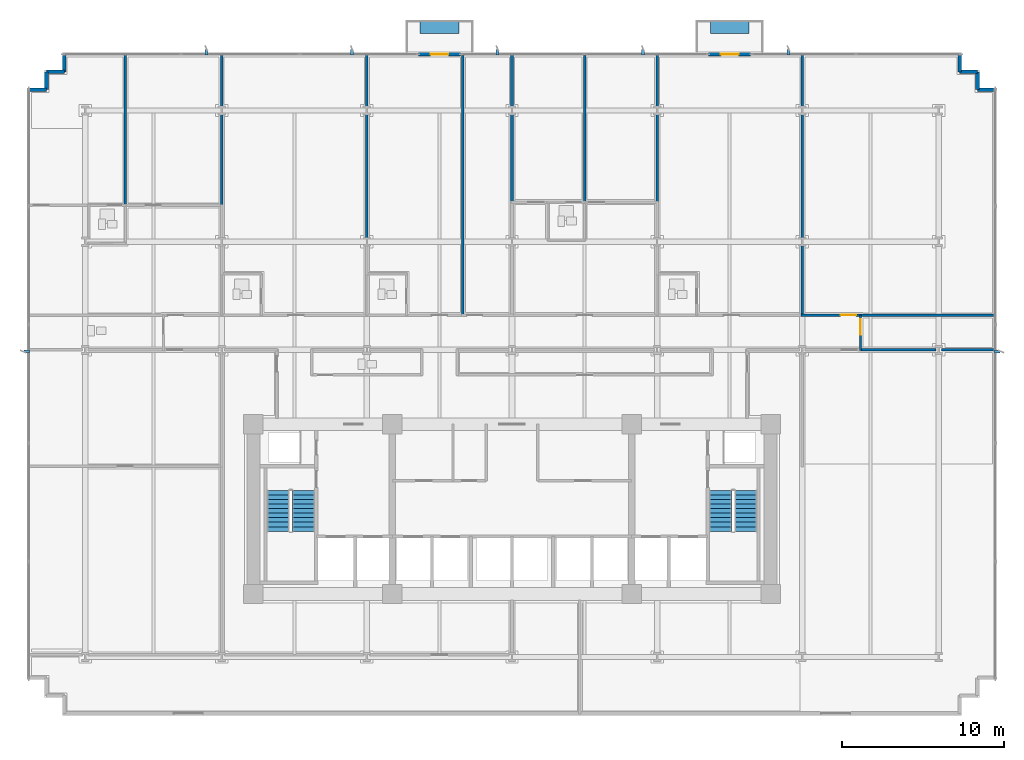
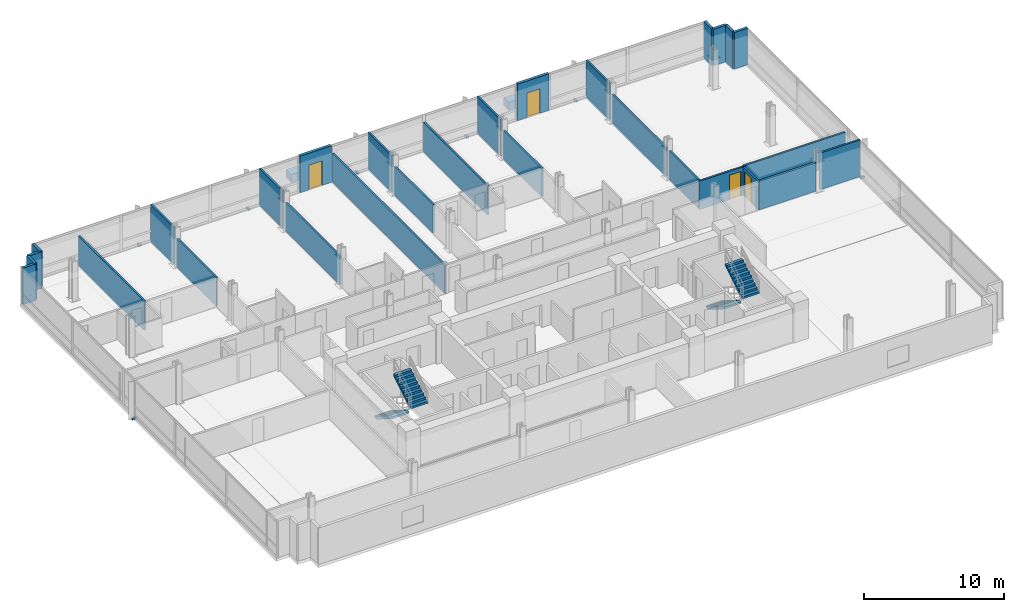
# One storey, part 11 of 16: 29 walls, 9 discrete accessories, 4 doors, 4 stair flights, 4 openings, 2 elements without a shape of their own.
"""IFC4 building model written with IfcOpenShell, lengths in metres."""

from ifc_helpers import new_model, si_unit, direction, frame, frame_2d, origin, origin_2d, place, context, subcontext, project, spatial, polyline, rectangle, outline, extrude, material, layer, layer_set, type_object, element, fill, aggregate, save


model = new_model("IFC4")

# Units and contexts
model_context = context("Model", 3, precision=1e-05, world=origin(), true_north=direction((0.0, 1.0)))
body_context = subcontext(model_context, "Body", "Model", "MODEL_VIEW")
ifc_project = project(units=[si_unit("LENGTHUNIT", "METRE"), si_unit("AREAUNIT", "SQUARE_METRE"), si_unit("VOLUMEUNIT", "CUBIC_METRE"), si_unit("PLANEANGLEUNIT", "RADIAN"), si_unit("MASSUNIT", "GRAM", prefix="KILO")], contexts=[model_context])

# Site, building, storey
site_placement = place(None, origin())
site = spatial("IfcSite", under=ifc_project, at=site_placement, CompositionType="ELEMENT")
building_placement = place(site_placement, origin())
building = spatial("IfcBuilding", under=site, at=building_placement, Name="Solmavex Isthmus Hotel", CompositionType="ELEMENT")
storey_placement = place(building_placement, frame((0.0, 0.0, 29.85009765625)))
storey = spatial("IfcBuildingStorey", under=building, at=storey_placement, Name="L07", CompositionType="ELEMENT", Elevation=29.85009765625)

# Wall, opening, door
ifc_material_1 = material(Name="Precast Concrete C40/50", Category="concrete")
ifc_layer_1 = layer(ifc_material_1, 0.25)
ifc_layer_set_1 = layer_set([ifc_layer_1], Name="Precast Concrete C40/50")
wall_type_1 = type_object("IfcWallType", Name="EW-TWR-250", PredefinedType="STANDARD", material=ifc_layer_set_1)
wall_1_placement = place(storey_placement, frame((-5.7880859375, 20.3798828125, 0.0), z_axis=(0.0, 0.0, 1.0), x_axis=(1.0, 0.0, 0.0)))
wall_1 = element("IfcWall", 1, at=wall_1_placement, inside=storey, type_object=wall_type_1, Name="Exterior Balcony Door Wall L07-2", PredefinedType="STANDARD", context=body_context, shape_type="SweptSolid", body=[
    extrude(rectangle(XDim=2.60009765625, YDim=0.239990234375, at=frame_2d((1.300048828125, 0.0))), origin(), (0.0, 0.0, 1.0), 3.18994140625),
])
opening_1_placement = place(wall_1_placement, frame((0.75, 0.0, 0.0)))
opening_1 = element("IfcOpeningElement", 2, at=opening_1_placement, cuts=wall_1, Name="Opening ED-02", PredefinedType="OPENING", context=body_context, shape_type="SweptSolid", body=[
    extrude(rectangle(XDim=1.10009765625, YDim=2.14990234375, at=frame_2d((0.550048828125, 1.074951171875))), frame((0.0, 0.1298828125, 0.0), z_axis=(0.0, -1.0, 0.0), x_axis=(1.0, 0.0, 0.0)), (0.0, 0.0, 1.0), 0.260009765625),
])
ifc_material_2 = material(Name="Aluminium alloy 6063-T6", Category="aluminium")
door_type_1 = type_object("IfcDoorType", Name="EDR-BALC-1100", OperationType="NOTDEFINED", PredefinedType="DOOR", material=ifc_material_2)
door_1_placement = place(opening_1_placement, origin())
door_1 = element("IfcDoor", 3, at=door_1_placement, inside=storey, type_object=door_type_1, Name="Balcony & Terrace Glazed Door L07-2", OperationType="SINGLE_SWING_RIGHT", OverallHeight=2.14990234375, OverallWidth=1.10009765625, PredefinedType="DOOR", context=body_context, shape_type="SweptSolid", body=[
    extrude(rectangle(XDim=1.10009765625, YDim=2.14990234375, at=frame_2d((0.550048828125, 1.074951171875))), frame((0.0, 0.02490234375, 0.0), z_axis=(0.0, -1.0, 0.0), x_axis=(1.0, 0.0, 0.0)), (0.0, 0.0, 1.0), 0.050048828125),
])
fill(opening_1, door_1)

wall_2_placement = place(storey_placement, frame((12.1640625, 20.3798828125, 0.0), z_axis=(0.0, 0.0, 1.0), x_axis=(1.0, 0.0, 0.0)))
wall_2 = element("IfcWall", 4, at=wall_2_placement, inside=storey, type_object=wall_type_1, Name="Exterior Balcony Door Wall L07-3", PredefinedType="STANDARD", context=body_context, shape_type="SweptSolid", body=[
    extrude(rectangle(XDim=2.599853515625, YDim=0.239990234375, at=frame_2d((1.2998046875, 0.0))), origin(), (0.0, 0.0, 1.0), 3.18994140625),
])
opening_2_placement = place(wall_2_placement, frame((0.75, 0.0, 0.0)))
opening_2 = element("IfcOpeningElement", 5, at=opening_2_placement, cuts=wall_2, Name="Opening ED-02", PredefinedType="OPENING", context=body_context, shape_type="SweptSolid", body=[
    extrude(rectangle(XDim=1.10009765625, YDim=2.14990234375, at=frame_2d((0.550048828125, 1.074951171875))), frame((0.0, 0.1298828125, 0.0), z_axis=(0.0, -1.0, 0.0), x_axis=(1.0, 0.0, 0.0)), (0.0, 0.0, 1.0), 0.260009765625),
])
door_2_placement = place(opening_2_placement, origin())
door_2 = element("IfcDoor", 6, at=door_2_placement, inside=storey, type_object=door_type_1, Name="Balcony & Terrace Glazed Door L07-3", OperationType="SINGLE_SWING_LEFT", OverallHeight=2.14990234375, OverallWidth=1.10009765625, PredefinedType="DOOR", context=body_context, shape_type="SweptSolid", body=[
    extrude(rectangle(XDim=1.10009765625, YDim=2.14990234375, at=frame_2d((0.550048828125, 1.074951171875))), frame((0.0, 0.02490234375, 0.0), z_axis=(0.0, -1.0, 0.0), x_axis=(1.0, 0.0, 0.0)), (0.0, 0.0, 1.0), 0.050048828125),
])
fill(opening_2, door_2)

# Walls
wall_3_placement = place(storey_placement, frame((-29.889892578125, 18.18994140625, 0.0), z_axis=(0.0, 0.0, 1.0), x_axis=(1.0, 0.0, 0.0)))
element("IfcWall", 7, at=wall_3_placement, inside=storey, type_object=wall_type_1, Name="Serrated Corner Facade Panel L07-06", PredefinedType="STANDARD", context=body_context, shape_type="SweptSolid", body=[
    extrude(rectangle(XDim=1.099853515625, YDim=0.219970703125, at=frame_2d((0.5498046875, 0.0))), origin(), (0.0, 0.0, 1.0), 3.18994140625),
])
for number, where, z_axis, x_axis, name in (
    (8, (-28.7900390625, 18.18994140625, 0.0), (0.0, 0.0, 1.0), (0.0, 1.0, 0.0), "Serrated Corner Facade Panel L07-07"),
    (9, (-28.7900390625, 19.2900390625, 0.0), (0.0, 0.0, 1.0), (1.0, 0.0, 0.0), "Serrated Corner Facade Panel L07-08"),
):
    element("IfcWall", number, at=place(storey_placement, frame(where, z_axis=z_axis, x_axis=x_axis)), inside=storey, type_object=wall_type_1, Name=name, PredefinedType="STANDARD", context=body_context, shape_type="SweptSolid", body=[
        extrude(rectangle(XDim=1.10009765625, YDim=0.219970703125, at=frame_2d((0.550048828125, 0.0))), origin(), (0.0, 0.0, 1.0), 3.18994140625),
    ])
for number, where, z_axis, x_axis, name in (
    (10, (-27.68994140625, 19.2900390625, 0.0), (0.0, 0.0, 1.0), (0.0, 1.0, 0.0), "Serrated Corner Facade Panel L07-09"),
    (11, (27.68994140625, 20.389892578125, 0.0), (0.0, 0.0, 1.0), (0.0, -1.0, 0.0), "Serrated Corner Facade Panel L07-11"),
):
    element("IfcWall", number, at=place(storey_placement, frame(where, z_axis=z_axis, x_axis=x_axis)), inside=storey, type_object=wall_type_1, Name=name, PredefinedType="STANDARD", context=body_context, shape_type="SweptSolid", body=[
        extrude(rectangle(XDim=1.099853515625, YDim=0.219970703125, at=frame_2d((0.5498046875, 0.0))), origin(), (0.0, 0.0, 1.0), 3.18994140625),
    ])
for number, where, z_axis, x_axis, name in (
    (12, (27.68994140625, 19.2900390625, 0.0), (0.0, 0.0, 1.0), (1.0, 0.0, 0.0), "Serrated Corner Facade Panel L07-12"),
    (13, (28.7900390625, 19.2900390625, 0.0), (0.0, 0.0, 1.0), (0.0, -1.0, 0.0), "Serrated Corner Facade Panel L07-13"),
):
    element("IfcWall", number, at=place(storey_placement, frame(where, z_axis=z_axis, x_axis=x_axis)), inside=storey, type_object=wall_type_1, Name=name, PredefinedType="STANDARD", context=body_context, shape_type="SweptSolid", body=[
        extrude(rectangle(XDim=1.10009765625, YDim=0.219970703125, at=frame_2d((0.550048828125, 0.0))), origin(), (0.0, 0.0, 1.0), 3.18994140625),
    ])
wall_4_placement = place(storey_placement, frame((28.7900390625, 18.18994140625, 0.0), z_axis=(0.0, 0.0, 1.0), x_axis=(1.0, 0.0, 0.0)))
element("IfcWall", 14, at=wall_4_placement, inside=storey, type_object=wall_type_1, Name="Serrated Corner Facade Panel L07-14", PredefinedType="STANDARD", context=body_context, shape_type="SweptSolid", body=[
    extrude(rectangle(XDim=1.099853515625, YDim=0.219970703125, at=frame_2d((0.5498046875, 0.0))), origin(), (0.0, 0.0, 1.0), 3.18994140625),
])
ifc_material_3 = material(Name="Gypsum plasterboard lining", Category="gypsum")
ifc_layer_2 = layer(ifc_material_3, 0.159912109375)
ifc_layer_set_2 = layer_set([ifc_layer_2], Name="Gypsum plasterboard lining")
wall_type_2 = type_object("IfcWallType", Name="IW-COMP-160", PredefinedType="PARTITIONING", material=ifc_layer_set_2)
wall_5_placement = place(storey_placement, frame((-23.916015625, 20.419921875, 0.0), z_axis=(0.0, 0.0, 1.0), x_axis=(0.0, -1.0, 0.0)))
element("IfcWall", 15, at=wall_5_placement, inside=storey, type_object=wall_type_2, Name="Interior Partition Wall W-L07-P042", PredefinedType="PARTITIONING", context=body_context, shape_type="SweptSolid", body=[
    extrude(rectangle(XDim=9.421875, YDim=0.159912109375, at=frame_2d((4.7109375, 0.0))), origin(), (0.0, 0.0, 1.0), 2.55322265625),
])
wall_6_placement = place(storey_placement, frame((-17.951904296875, 16.72509765625, 0.0), z_axis=(0.0, 0.0, 1.0), x_axis=(0.0, -1.0, 0.0)))
element("IfcWall", 16, at=wall_6_placement, inside=storey, type_object=wall_type_2, Name="Interior Partition Wall W-L07-P044", PredefinedType="PARTITIONING", context=body_context, shape_type="SweptSolid", body=[
    extrude(rectangle(XDim=5.72705078125, YDim=0.159912109375, at=frame_2d((2.863525390625, 0.0))), origin(), (0.0, 0.0, 1.0), 2.4794921875),
])
wall_7_placement = place(storey_placement, frame((-17.951904296875, 20.419921875, 0.0), z_axis=(0.0, 0.0, 1.0), x_axis=(0.0, -1.0, 0.0)))
element("IfcWall", 17, at=wall_7_placement, inside=storey, type_object=wall_type_2, Name="Interior Partition Wall W-L07-P045", PredefinedType="PARTITIONING", context=body_context, shape_type="SweptSolid", body=[
    extrude(rectangle(XDim=3.344970703125, YDim=0.159912109375, at=frame_2d((1.67236328125, 0.0))), origin(), (0.0, 0.0, 1.0), 3.18994140625),
])
wall_8_placement = place(storey_placement, frame((-8.97607421875, 16.72509765625, 0.0), z_axis=(0.0, 0.0, 1.0), x_axis=(0.0, -1.0, 0.0)))
element("IfcWall", 18, at=wall_8_placement, inside=storey, type_object=wall_type_2, Name="Interior Partition Wall W-L07-P049", PredefinedType="PARTITIONING", context=body_context, shape_type="SweptSolid", body=[
    extrude(rectangle(XDim=7.76220703125, YDim=0.159912109375, at=frame_2d((3.881103515625, 0.0))), origin(), (0.0, 0.0, 1.0), 2.4794921875),
])
wall_9_placement = place(storey_placement, frame((-8.97607421875, 20.419921875, 0.0), z_axis=(0.0, 0.0, 1.0), x_axis=(0.0, -1.0, 0.0)))
element("IfcWall", 19, at=wall_9_placement, inside=storey, type_object=wall_type_2, Name="Interior Partition Wall W-L07-P050", PredefinedType="PARTITIONING", context=body_context, shape_type="SweptSolid", body=[
    extrude(rectangle(XDim=3.344970703125, YDim=0.159912109375, at=frame_2d((1.67236328125, 0.0))), origin(), (0.0, 0.0, 1.0), 3.18994140625),
])
wall_10_placement = place(storey_placement, frame((-3.0380859375, 20.300048828125, 0.0), z_axis=(0.0, 0.0, 1.0), x_axis=(0.0, -1.0, 0.0)))
element("IfcWall", 20, at=wall_10_placement, inside=storey, type_object=wall_type_2, Name="Interior Partition Wall W-L07-P054", PredefinedType="PARTITIONING", context=body_context, shape_type="SweptSolid", body=[
    extrude(rectangle(XDim=16.090087890625, YDim=0.159912109375, at=frame_2d((8.044921875, 0.0))), origin(), (0.0, 0.0, 1.0), 2.4794921875),
])
wall_11_placement = place(storey_placement, frame((0.0, 16.72509765625, 0.0), z_axis=(0.0, 0.0, 1.0), x_axis=(0.0, -1.0, 0.0)))
element("IfcWall", 21, at=wall_11_placement, inside=storey, type_object=wall_type_2, Name="Interior Partition Wall W-L07-P057", PredefinedType="PARTITIONING", context=body_context, shape_type="SweptSolid", body=[
    extrude(rectangle(XDim=5.569091796875, YDim=0.159912109375, at=frame_2d((2.78466796875, 0.0))), origin(), (0.0, 0.0, 1.0), 2.4794921875),
])
wall_12_placement = place(storey_placement, frame((0.0, 20.419921875, 0.0), z_axis=(0.0, 0.0, 1.0), x_axis=(0.0, -1.0, 0.0)))
element("IfcWall", 22, at=wall_12_placement, inside=storey, type_object=wall_type_2, Name="Interior Partition Wall W-L07-P058", PredefinedType="PARTITIONING", context=body_context, shape_type="SweptSolid", body=[
    extrude(rectangle(XDim=3.344970703125, YDim=0.159912109375, at=frame_2d((1.67236328125, 0.0))), origin(), (0.0, 0.0, 1.0), 3.18994140625),
])
wall_13_placement = place(storey_placement, frame((4.488037109375, 20.300048828125, 0.0), z_axis=(0.0, 0.0, 1.0), x_axis=(0.0, -1.0, 0.0)))
element("IfcWall", 23, at=wall_13_placement, inside=storey, type_object=wall_type_2, Name="Interior Partition Wall W-L07-P067", PredefinedType="PARTITIONING", context=body_context, shape_type="SweptSolid", body=[
    extrude(rectangle(XDim=9.10205078125, YDim=0.159912109375, at=frame_2d((4.551025390625, 0.0))), origin(), (0.0, 0.0, 1.0), 2.55322265625),
])
wall_14_placement = place(storey_placement, frame((8.97607421875, 16.72509765625, 0.0), z_axis=(0.0, 0.0, 1.0), x_axis=(0.0, -1.0, 0.0)))
element("IfcWall", 24, at=wall_14_placement, inside=storey, type_object=wall_type_2, Name="Interior Partition Wall W-L07-P069", PredefinedType="PARTITIONING", context=body_context, shape_type="SweptSolid", body=[
    extrude(rectangle(XDim=5.527099609375, YDim=0.159912109375, at=frame_2d((2.763671875, 0.0))), origin(), (0.0, 0.0, 1.0), 2.4794921875),
])
wall_15_placement = place(storey_placement, frame((8.97607421875, 20.419921875, 0.0), z_axis=(0.0, 0.0, 1.0), x_axis=(0.0, -1.0, 0.0)))
element("IfcWall", 25, at=wall_15_placement, inside=storey, type_object=wall_type_2, Name="Interior Partition Wall W-L07-P070", PredefinedType="PARTITIONING", context=body_context, shape_type="SweptSolid", body=[
    extrude(rectangle(XDim=3.344970703125, YDim=0.159912109375, at=frame_2d((1.67236328125, 0.0))), origin(), (0.0, 0.0, 1.0), 3.18994140625),
])
wall_16_placement = place(storey_placement, frame((17.951904296875, 8.613037109375, 0.0), z_axis=(0.0, 0.0, 1.0), x_axis=(0.0, -1.0, 0.0)))
element("IfcWall", 26, at=wall_16_placement, inside=storey, type_object=wall_type_2, Name="Interior Partition Wall W-L07-P073", PredefinedType="PARTITIONING", context=body_context, shape_type="SweptSolid", body=[
    extrude(rectangle(XDim=4.403076171875, YDim=0.159912109375, at=frame_2d((2.20166015625, 0.0))), origin(), (0.0, 0.0, 1.0), 2.4794921875),
])
wall_17_placement = place(storey_placement, frame((17.951904296875, 16.72509765625, 0.0), z_axis=(0.0, 0.0, 1.0), x_axis=(0.0, -1.0, 0.0)))
element("IfcWall", 27, at=wall_17_placement, inside=storey, type_object=wall_type_2, Name="Interior Partition Wall W-L07-P074", PredefinedType="PARTITIONING", context=body_context, shape_type="SweptSolid", body=[
    extrude(rectangle(XDim=7.76220703125, YDim=0.159912109375, at=frame_2d((3.881103515625, 0.0))), origin(), (0.0, 0.0, 1.0), 2.4794921875),
])
wall_18_placement = place(storey_placement, frame((17.951904296875, 20.419921875, 0.0), z_axis=(0.0, 0.0, 1.0), x_axis=(0.0, -1.0, 0.0)))
element("IfcWall", 28, at=wall_18_placement, inside=storey, type_object=wall_type_2, Name="Interior Partition Wall W-L07-P075", PredefinedType="PARTITIONING", context=body_context, shape_type="SweptSolid", body=[
    extrude(rectangle(XDim=3.344970703125, YDim=0.159912109375, at=frame_2d((1.67236328125, 0.0))), origin(), (0.0, 0.0, 1.0), 3.18994140625),
])
wall_19_placement = place(storey_placement, frame((29.919921875, 4.22998046875, 0.0), z_axis=(0.0, 0.0, 1.0), x_axis=(-1.0, 0.0, 0.0)))
element("IfcWall", 29, at=wall_19_placement, inside=storey, type_object=wall_type_2, Name="Interior Partition Wall W-L07-P076", PredefinedType="PARTITIONING", context=body_context, shape_type="SweptSolid", body=[
    extrude(rectangle(XDim=8.407958984375, YDim=0.159912109375, at=frame_2d((4.2041015625, 0.0))), origin(), (0.0, 0.0, 1.0), 2.55322265625),
])
wall_20_placement = place(storey_placement, frame((26.22509765625, 2.10009765625, 0.0), z_axis=(0.0, 0.0, 1.0), x_axis=(-1.0, 0.0, 0.0)))
element("IfcWall", 30, at=wall_20_placement, inside=storey, type_object=wall_type_2, Name="Interior Partition Wall W-L07-P079", PredefinedType="PARTITIONING", context=body_context, shape_type="SweptSolid", body=[
    extrude(rectangle(XDim=4.713134765625, YDim=0.159912109375, at=frame_2d((2.3564453125, 0.0))), origin(), (0.0, 0.0, 1.0), 2.4794921875),
])
wall_21_placement = place(storey_placement, frame((29.919921875, 2.10009765625, 0.0), z_axis=(0.0, 0.0, 1.0), x_axis=(-1.0, 0.0, 0.0)))
element("IfcWall", 31, at=wall_21_placement, inside=storey, type_object=wall_type_2, Name="Interior Partition Wall W-L07-P080", PredefinedType="PARTITIONING", context=body_context, shape_type="SweptSolid", body=[
    extrude(rectangle(XDim=3.344970703125, YDim=0.159912109375, at=frame_2d((1.67236328125, 0.0))), origin(), (0.0, 0.0, 1.0), 3.18994140625),
])

# Wall, opening, door
ifc_layer_3 = layer(ifc_material_3, 0.14990234375)
ifc_layer_set_3 = layer_set([ifc_layer_3], Name="Gypsum plasterboard lining")
wall_type_3 = type_object("IfcWallType", Name="IW-CORR-150", PredefinedType="PARTITIONING", material=ifc_layer_set_3)
wall_22_placement = place(storey_placement, frame((17.8701171875, 4.25, 0.0), z_axis=(0.0, 0.0, 1.0), x_axis=(1.0, 0.0, 0.0)))
wall_22 = element("IfcWall", 32, at=wall_22_placement, inside=storey, type_object=wall_type_3, Name="Interior Partition Wall W-L07-P010", PredefinedType="PARTITIONING", context=body_context, shape_type="SweptSolid", body=[
    extrude(rectangle(XDim=3.721923828125, YDim=0.14990234375, at=frame_2d((1.86083984375, 0.0))), origin(), (0.0, 0.0, 1.0), 2.4794921875),
])
opening_3_placement = place(wall_22_placement, frame((2.456787109375, 0.0, 0.0)))
opening_3 = element("IfcOpeningElement", 33, at=opening_3_placement, cuts=wall_22, Name="Opening ID-C095", PredefinedType="OPENING", context=body_context, shape_type="SweptSolid", body=[
    extrude(rectangle(XDim=0.949951171875, YDim=2.14990234375, at=frame_2d((0.47509765625, 1.074951171875))), frame((0.0, 0.0849609375, 0.0), z_axis=(0.0, -1.0, 0.0), x_axis=(1.0, 0.0, 0.0)), (0.0, 0.0, 1.0), 0.169921875),
])
ifc_material_4 = material(Name="Hardwood timber", Category="wood")
door_type_2 = type_object("IfcDoorType", Name="IDR-FD60-0950", OperationType="NOTDEFINED", PredefinedType="DOOR", material=ifc_material_4)
door_3_placement = place(opening_3_placement, origin())
door_3 = element("IfcDoor", 34, at=door_3_placement, inside=storey, type_object=door_type_2, Name="Corporate Briefing Office Door L07-16", OperationType="SINGLE_SWING_RIGHT", OverallHeight=2.14990234375, OverallWidth=0.949951171875, PredefinedType="DOOR", context=body_context, shape_type="SweptSolid", body=[
    extrude(rectangle(XDim=0.949951171875, YDim=2.14990234375, at=frame_2d((0.47509765625, 1.074951171875))), frame((0.0, 0.02490234375, 0.0), z_axis=(0.0, -1.0, 0.0), x_axis=(1.0, 0.0, 0.0)), (0.0, 0.0, 1.0), 0.050048828125),
])
fill(opening_3, door_3)

wall_23_placement = place(storey_placement, frame((21.552001953125, 4.27001953125, 0.0), z_axis=(0.0, 0.0, 1.0), x_axis=(0.0, -1.0, 0.0)))
wall_23 = element("IfcWall", 35, at=wall_23_placement, inside=storey, type_object=wall_type_3, Name="Interior Partition Wall W-L07-P018", PredefinedType="PARTITIONING", context=body_context, shape_type="SweptSolid", body=[
    extrude(rectangle(XDim=2.2099609375, YDim=0.14990234375, at=frame_2d((1.10498046875, 0.0))), origin(), (0.0, 0.0, 1.0), 2.4794921875),
])
opening_4_placement = place(wall_23_placement, frame((0.272216796875, 0.0, 0.0)))
opening_4 = element("IfcOpeningElement", 36, at=opening_4_placement, cuts=wall_23, Name="Opening ID-C095", PredefinedType="OPENING", context=body_context, shape_type="SweptSolid", body=[
    extrude(rectangle(XDim=0.949951171875, YDim=2.14990234375, at=frame_2d((0.47509765625, 1.074951171875))), frame((0.0, 0.0849609375, 0.0), z_axis=(0.0, -1.0, 0.0), x_axis=(1.0, 0.0, 0.0)), (0.0, 0.0, 1.0), 0.169921875),
])
door_4_placement = place(opening_4_placement, origin())
door_4 = element("IfcDoor", 37, at=door_4_placement, inside=storey, type_object=door_type_2, Name="Club Reading Library Door L07-19", OperationType="SINGLE_SWING_LEFT", OverallHeight=2.14990234375, OverallWidth=0.949951171875, PredefinedType="DOOR", context=body_context, shape_type="SweptSolid", body=[
    extrude(rectangle(XDim=0.949951171875, YDim=2.14990234375, at=frame_2d((0.47509765625, 1.074951171875))), frame((0.0, 0.02490234375, 0.0), z_axis=(0.0, -1.0, 0.0), x_axis=(1.0, 0.0, 0.0)), (0.0, 0.0, 1.0), 0.050048828125),
])
fill(opening_4, door_4)

# Stair, stair flights
ifc_material_5 = material(Name="Concrete C40/50", Category="concrete")
stair_type_1 = type_object("IfcStairType", Name="STR-ST-1", PredefinedType="HALF_TURN_STAIR", material=ifc_material_5)
stair_1_placement = place(storey_placement, origin())
stair_1 = element("IfcStair", 38, at=stair_1_placement, inside=storey, type_object=stair_type_1, Name="L07 Protected Exit Stair ST-1", PredefinedType="HALF_TURN_STAIR")
stair_flight_type_1 = type_object("IfcStairFlightType", Name="SFL-ST-1", PredefinedType="STRAIGHT", material=ifc_material_5)
stair_flight_1_placement = place(storey_placement, frame((-14.449951171875, -6.60009765625, 0.0), z_axis=(0.0, 0.0, 1.0), x_axis=(0.0, -1.0, 0.0)))
stair_flight_1 = element("IfcStairFlight", 39, at=stair_flight_1_placement, type_object=stair_flight_type_1, Name="ST-1 flight 1", NumberOfRisers=10, NumberOfTreads=9, PredefinedType="STRAIGHT", RiserHeight=0.1725, TreadLength=0.28, context=body_context, shape_type="SweptSolid", body=[
    extrude(outline(polyline([(0.0, 0.0), (0.0, 0.172607421875), (0.280029296875, 0.172607421875), (0.280029296875, 0.344970703125), (0.56005859375, 0.344970703125), (0.56005859375, 0.517578125), (0.840087890625, 0.517578125), (0.840087890625, 0.68994140625), (1.1201171875, 0.68994140625), (1.1201171875, 0.862548828125), (1.39990234375, 0.862548828125), (1.39990234375, 1.034912109375), (1.679931640625, 1.034912109375), (1.679931640625, 1.20751953125), (1.9599609375, 1.20751953125), (1.9599609375, 1.3798828125), (2.239990234375, 1.3798828125), (2.239990234375, 1.552490234375), (2.52001953125, 1.552490234375), (2.52001953125, 1.72509765625), (2.52001953125, 1.37646484375), (0.285888671875, 0.0), (0.0, 0.0)])), frame((0.0, 0.699951171875, 0.0), z_axis=(0.0, -1.0, 0.0), x_axis=(1.0, 0.0, 0.0)), (0.0, 0.0, 1.0), 1.39990234375),
])
stair_flight_2_placement = place(storey_placement, frame((-12.89990234375, -9.1201171875, 1.724853515625), z_axis=(0.0, 0.0, 1.0), x_axis=(0.0, 1.0, 0.0)))
stair_flight_2 = element("IfcStairFlight", 40, at=stair_flight_2_placement, type_object=stair_flight_type_1, Name="ST-1 flight 2", NumberOfRisers=10, NumberOfTreads=9, PredefinedType="STRAIGHT", RiserHeight=0.1725, TreadLength=0.28, context=body_context, shape_type="SweptSolid", body=[
    extrude(outline(polyline([(0.0, 0.0), (0.0, 0.172607421875), (0.280029296875, 0.172607421875), (0.280029296875, 0.344970703125), (0.56005859375, 0.344970703125), (0.56005859375, 0.517578125), (0.840087890625, 0.517578125), (0.840087890625, 0.68994140625), (1.1201171875, 0.68994140625), (1.1201171875, 0.862548828125), (1.39990234375, 0.862548828125), (1.39990234375, 1.034912109375), (1.679931640625, 1.034912109375), (1.679931640625, 1.20751953125), (1.9599609375, 1.20751953125), (1.9599609375, 1.3798828125), (2.239990234375, 1.3798828125), (2.239990234375, 1.552490234375), (2.52001953125, 1.552490234375), (2.52001953125, 1.72509765625), (2.52001953125, 1.37646484375), (0.285888671875, 0.0), (0.0, 0.0)])), frame((0.0, 0.699951171875, 0.0), z_axis=(0.0, -1.0, 0.0), x_axis=(1.0, 0.0, 0.0)), (0.0, 0.0, 1.0), 1.39990234375),
])
aggregate(stair_1, [stair_flight_1, stair_flight_2])

stair_type_2 = type_object("IfcStairType", Name="STR-ST-2", PredefinedType="HALF_TURN_STAIR", material=ifc_material_5)
stair_2_placement = place(storey_placement, origin())
stair_2 = element("IfcStair", 41, at=stair_2_placement, inside=storey, type_object=stair_type_2, Name="L07 Protected Exit Stair ST-2", PredefinedType="HALF_TURN_STAIR")
stair_flight_type_2 = type_object("IfcStairFlightType", Name="SFL-ST-2", PredefinedType="STRAIGHT", material=ifc_material_5)
stair_flight_3_placement = place(storey_placement, frame((12.89990234375, -6.60009765625, 0.0), z_axis=(0.0, 0.0, 1.0), x_axis=(0.0, -1.0, 0.0)))
stair_flight_3 = element("IfcStairFlight", 42, at=stair_flight_3_placement, type_object=stair_flight_type_2, Name="ST-2 flight 1", NumberOfRisers=10, NumberOfTreads=9, PredefinedType="STRAIGHT", RiserHeight=0.1725, TreadLength=0.28, context=body_context, shape_type="SweptSolid", body=[
    extrude(outline(polyline([(0.0, 0.0), (0.0, 0.172607421875), (0.280029296875, 0.172607421875), (0.280029296875, 0.344970703125), (0.56005859375, 0.344970703125), (0.56005859375, 0.517578125), (0.840087890625, 0.517578125), (0.840087890625, 0.68994140625), (1.1201171875, 0.68994140625), (1.1201171875, 0.862548828125), (1.39990234375, 0.862548828125), (1.39990234375, 1.034912109375), (1.679931640625, 1.034912109375), (1.679931640625, 1.20751953125), (1.9599609375, 1.20751953125), (1.9599609375, 1.3798828125), (2.239990234375, 1.3798828125), (2.239990234375, 1.552490234375), (2.52001953125, 1.552490234375), (2.52001953125, 1.72509765625), (2.52001953125, 1.37646484375), (0.285888671875, 0.0), (0.0, 0.0)])), frame((0.0, 0.699951171875, 0.0), z_axis=(0.0, -1.0, 0.0), x_axis=(1.0, 0.0, 0.0)), (0.0, 0.0, 1.0), 1.39990234375),
])
stair_flight_4_placement = place(storey_placement, frame((14.449951171875, -9.1201171875, 1.724853515625), z_axis=(0.0, 0.0, 1.0), x_axis=(0.0, 1.0, 0.0)))
stair_flight_4 = element("IfcStairFlight", 43, at=stair_flight_4_placement, type_object=stair_flight_type_2, Name="ST-2 flight 2", NumberOfRisers=10, NumberOfTreads=9, PredefinedType="STRAIGHT", RiserHeight=0.1725, TreadLength=0.28, context=body_context, shape_type="SweptSolid", body=[
    extrude(outline(polyline([(0.0, 0.0), (0.0, 0.172607421875), (0.280029296875, 0.172607421875), (0.280029296875, 0.344970703125), (0.56005859375, 0.344970703125), (0.56005859375, 0.517578125), (0.840087890625, 0.517578125), (0.840087890625, 0.68994140625), (1.1201171875, 0.68994140625), (1.1201171875, 0.862548828125), (1.39990234375, 0.862548828125), (1.39990234375, 1.034912109375), (1.679931640625, 1.034912109375), (1.679931640625, 1.20751953125), (1.9599609375, 1.20751953125), (1.9599609375, 1.3798828125), (2.239990234375, 1.3798828125), (2.239990234375, 1.552490234375), (2.52001953125, 1.552490234375), (2.52001953125, 1.72509765625), (2.52001953125, 1.37646484375), (0.285888671875, 0.0), (0.0, 0.0)])), frame((0.0, 0.699951171875, 0.0), z_axis=(0.0, -1.0, 0.0), x_axis=(1.0, 0.0, 0.0)), (0.0, 0.0, 1.0), 1.39990234375),
])
aggregate(stair_2, [stair_flight_3, stair_flight_4])

# Discrete accessories
ifc_material_6 = material(Name="Steel ASTM A572 Grade 50", Category="steel")
discrete_accessory_type_1 = type_object("IfcDiscreteAccessoryType", Name="ACC-BRK-FIN", PredefinedType="BRACKET", material=ifc_material_6)
for number, where, z_axis, x_axis, name in (
    (44, (-18.89990234375, 20.52001953125, -0.169921875), (0.0, 0.0, 1.0), (0.0, 1.0, 0.0), "Facade Fin Support Bracket L07-N1"),
    (45, (-9.89990234375, 20.52001953125, -0.169921875), (0.0, 0.0, 1.0), (0.0, 1.0, 0.0), "Facade Fin Support Bracket L07-N2"),
    (46, (-0.89990234375, 20.52001953125, -0.169921875), (0.0, 0.0, 1.0), (0.0, 1.0, 0.0), "Facade Fin Support Bracket L07-N3"),
    (47, (8.10009765625, 20.52001953125, -0.169921875), (0.0, 0.0, 1.0), (0.0, 1.0, 0.0), "Facade Fin Support Bracket L07-N4"),
    (48, (17.10009765625, 20.52001953125, -0.169921875), (0.0, 0.0, 1.0), (0.0, 1.0, 0.0), "Facade Fin Support Bracket L07-N5"),
    (49, (-30.02001953125, 2.0, -0.169921875), (0.0, 0.0, 1.0), (-1.0, 0.0, 0.0), "Facade Fin Support Bracket L07-W1"),
    (50, (30.02001953125, 2.0, -0.169921875), (0.0, 0.0, 1.0), (1.0, 0.0, 0.0), "Facade Fin Support Bracket L07-E1"),
):
    element("IfcDiscreteAccessory", number, at=place(storey_placement, frame(where, z_axis=z_axis, x_axis=x_axis)), inside=storey, type_object=discrete_accessory_type_1, Name=name, PredefinedType="BRACKET", context=body_context, shape_type="SweptSolid", body=[
        extrude(rectangle(XDim=0.340087890625, YDim=0.179931640625, at=origin_2d()), origin(), (0.0, 0.0, 1.0), 0.159912109375),
    ])
discrete_accessory_type_2 = type_object("IfcDiscreteAccessoryType", Name="ACC-PLN-BALC", PredefinedType="USERDEFINED", material=ifc_material_1)
for number, where, z_axis, x_axis, name in (
    (51, (-4.488037109375, 22.050048828125, 0.0), (0.0, 0.0, 1.0), (1.0, 0.0, 0.0), "Tree-Balcony Architectural Planter L07-B1"),
    (52, (13.464111328125, 22.050048828125, 0.0), (0.0, 0.0, 1.0), (1.0, 0.0, 0.0), "Tree-Balcony Architectural Planter L07-B2"),
):
    element("IfcDiscreteAccessory", number, at=place(storey_placement, frame(where, z_axis=z_axis, x_axis=x_axis)), inside=storey, type_object=discrete_accessory_type_2, Name=name, ObjectType="PLANTER", PredefinedType="USERDEFINED", context=body_context, shape_type="SweptSolid", body=[
        extrude(rectangle(XDim=2.39990234375, YDim=0.75, at=origin_2d()), origin(), (0.0, 0.0, 1.0), 0.699951171875),
    ])

save(model, "model.ifc")
